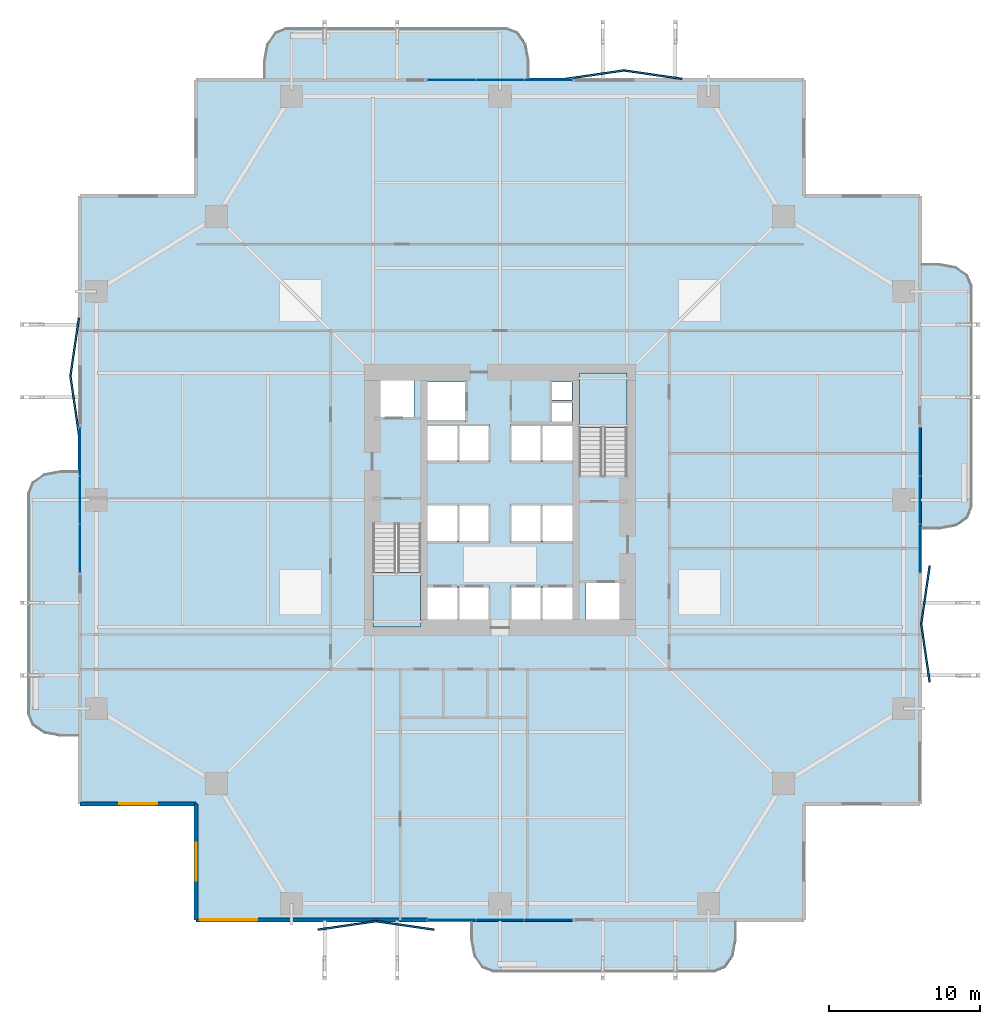
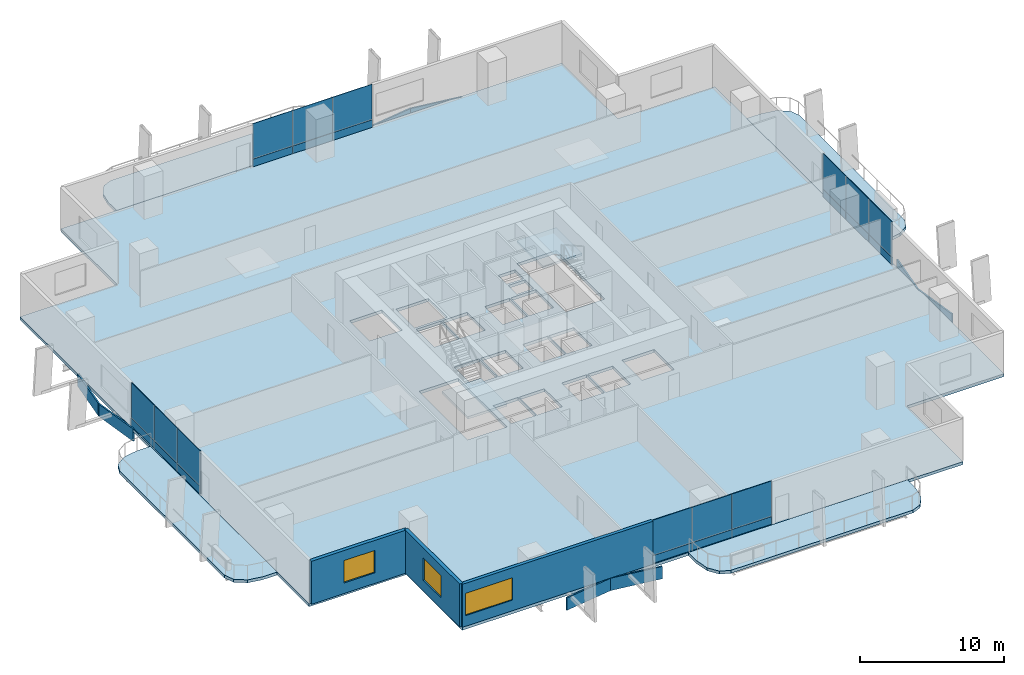
# One storey, part 16 of 24: 32 plates, 7 slabs, 3 walls, 3 windows, 3 openings, 6 elements without a shape of their own.
"""IFC4 building model written with IfcOpenShell, lengths in metres."""

import ifcopenshell
import ifcopenshell.guid

model = None  # the IFC model being written
_history = None  # IfcOwnerHistory: only IFC2X3 demands one
_inside = {}  # id of a spatial element -> (the spatial element, [elements in it])
_under = {}  # id of a project, library or spatial element -> (it, [spatial elements below it])
_declared = {}  # id of a project -> (the project, [libraries it declares])
_typed = {}  # id of a type object -> (the type object, [elements of that type])
_made_of = {}  # id of a material, layer set ... -> (it, [elements and type objects made of it])


def new_model(schema):
    """Start an empty IFC model of exactly this schema.

    Asked for "IFC4X3", IfcOpenShell would pick the latest addendum, in which some entities
    have other attributes; the version numbers below select the first issue.
    IFC2X3 requires an IfcOwnerHistory on every rooted entity: one is made here for all.
    """
    global model, _history
    if schema == "IFC4X3":
        model = ifcopenshell.file(schema_version=(4, 3, 0, 0))
    else:
        model = ifcopenshell.file(schema=schema)
    _inside.clear()
    _under.clear()
    _declared.clear()
    _typed.clear()
    _made_of.clear()
    _history = None
    if model.schema == "IFC2X3":
        org = make("IfcOrganization", Name="unknown")
        user = make(
            "IfcPersonAndOrganization",
            ThePerson=make("IfcPerson", FamilyName="unknown"),
            TheOrganization=org,
        )
        app = make(
            "IfcApplication",
            ApplicationDeveloper=org,
            Version="unknown",
            ApplicationFullName="unknown",
            ApplicationIdentifier="unknown",
        )
        _history = make(
            "IfcOwnerHistory",
            OwningUser=user,
            OwningApplication=app,
            ChangeAction="ADDED",
            CreationDate=0,
        )
    return model


def make(cls, **values):
    """One entity of the class cls with the attributes given. An attribute that is None is left unset."""
    return model.create_entity(
        cls, **{name: value for name, value in values.items() if value is not None}
    )


def rooted(cls, **values):
    """An entity with a GlobalId (a new one), such as an element, a storey or a relation."""
    return make(cls, GlobalId=ifcopenshell.guid.new(), OwnerHistory=_history, **values)


def si_unit(unit_type, name, prefix=None):
    """IfcSIUnit, for example si_unit("LENGTHUNIT", "METRE", prefix="MILLI")."""
    return make("IfcSIUnit", UnitType=unit_type, Prefix=prefix, Name=name)


def assignment(units):
    """IfcUnitAssignment: the units of a project."""
    return None if units is None else make("IfcUnitAssignment", Units=units)


def point(xyz):
    """IfcCartesianPoint."""
    return None if xyz is None else make("IfcCartesianPoint", Coordinates=xyz)


def direction(xyz):
    """IfcDirection."""
    return None if xyz is None else make("IfcDirection", DirectionRatios=xyz)


def frame(location, z_axis=None, x_axis=None):
    """IfcAxis2Placement3D, a coordinate frame: its origin and axes. An axis left out is left unset."""
    return make(
        "IfcAxis2Placement3D",
        Location=point(location),
        Axis=direction(z_axis),
        RefDirection=direction(x_axis),
    )


def frame_2d(location, x_axis=None):
    """IfcAxis2Placement2D, a coordinate frame in the plane: its origin and x axis."""
    return make(
        "IfcAxis2Placement2D", Location=point(location), RefDirection=direction(x_axis)
    )


def origin():
    """The frame at (0, 0, 0) with its axes left unset."""
    return frame((0.0, 0.0, 0.0))


def origin_2d():
    """The frame at (0, 0) in the plane with its x axis left unset."""
    return frame_2d((0.0, 0.0))


def place(relative_to, where):
    """IfcLocalPlacement: puts the frame where relative to a parent placement (None: the world)."""
    return make(
        "IfcLocalPlacement", PlacementRelTo=relative_to, RelativePlacement=where
    )


def context(
    kind, dimensions, precision=None, world=None, true_north=None, identifier=None
):
    """IfcGeometricRepresentationContext, for example the 3D "Model" context."""
    return make(
        "IfcGeometricRepresentationContext",
        ContextIdentifier=identifier,
        ContextType=kind,
        CoordinateSpaceDimension=dimensions,
        Precision=precision,
        WorldCoordinateSystem=world,
        TrueNorth=true_north,
    )


def subcontext(parent, identifier, kind, view, scale=None):
    """IfcGeometricRepresentationSubContext, for example "Body" below "Model"."""
    return make(
        "IfcGeometricRepresentationSubContext",
        ContextIdentifier=identifier,
        ContextType=kind,
        ParentContext=parent,
        TargetScale=scale,
        TargetView=view,
    )


def project(units=None, contexts=None):
    """IfcProject with its units and contexts."""
    return rooted(
        "IfcProject",
        Name="project",
        RepresentationContexts=contexts,
        UnitsInContext=assignment(units),
    )


def spatial(cls, under=None, at=None, **own):
    """A site, building, storey or space (cls), placed at a placement, below another one or the project."""
    s = rooted(cls, ObjectPlacement=at, **own)
    if under is not None:
        _under.setdefault(under.id(), (under, []))[1].append(s)
    return s


def polyline(points):
    """IfcPolyline through the points."""
    return make("IfcPolyline", Points=[point(p) for p in points])


def profile(cls, at=None, kind="AREA", **sizes):
    """A parametric profile (cls). Its sizes go by their IFC names, for example OverallWidth=200.0."""
    return make(cls, ProfileType=kind, Position=at, **sizes)


def rectangle(**sizes):
    """IfcRectangleProfileDef."""
    return profile("IfcRectangleProfileDef", **sizes)


def outline(outer, holes=None, kind="AREA"):
    """IfcArbitraryClosedProfileDef: a profile drawn as a closed curve; with holes, ...WithVoids."""
    if holes is None:
        return make("IfcArbitraryClosedProfileDef", ProfileType=kind, OuterCurve=outer)
    return make(
        "IfcArbitraryProfileDefWithVoids",
        ProfileType=kind,
        OuterCurve=outer,
        InnerCurves=holes,
    )


def extrude(swept, where, along, depth):
    """IfcExtrudedAreaSolid: the profile swept, set in the frame where, extruded along a direction by depth."""
    return make(
        "IfcExtrudedAreaSolid",
        SweptArea=swept,
        Position=where,
        ExtrudedDirection=direction(along),
        Depth=depth,
    )


def shape(context_of_items, identifier, shape_type, items):
    """IfcShapeRepresentation: the items that make up one representation, for example the "Body"."""
    return make(
        "IfcShapeRepresentation",
        ContextOfItems=context_of_items,
        RepresentationIdentifier=identifier,
        RepresentationType=shape_type,
        Items=items,
    )


def material(Name=None, Category=None):
    """IfcMaterial."""
    return make("IfcMaterial", Name=Name, Category=Category)


def layer(
    of_material, thickness, ventilated=None, Name=None, Category=None, Priority=None
):
    """IfcMaterialLayer: one layer of a wall or slab, of a material (None: an air gap)."""
    return make(
        "IfcMaterialLayer",
        Material=of_material,
        LayerThickness=thickness,
        IsVentilated=ventilated,
        Name=Name,
        Category=Category,
        Priority=Priority,
    )


def layer_set(layers, Name=None):
    """IfcMaterialLayerSet."""
    return make("IfcMaterialLayerSet", MaterialLayers=layers, LayerSetName=Name)


def made_of(thing, what):
    """Note that an element or type object is made of a material, layer set ...; save() writes the relation."""
    if what is not None:
        _made_of.setdefault(what.id(), (what, []))[1].append(thing)
    return thing


def type_object(cls, material=None, **own):
    """A type object (cls), such as IfcWallType, which elements share."""
    return made_of(rooted(cls, **own), material)


def element(
    cls,
    number,
    at=None,
    inside=None,
    cuts=None,
    type_object=None,
    material=None,
    context=None,
    identifier="Body",
    shape_type=None,
    held_by="IfcProductDefinitionShape",
    body=None,
    shapes=None,
    **own,
):
    """One element of the class cls, such as IfcWall. Its Tag is "e" and its number.

    at: its placement. inside: the storey or other place that contains it. cuts: it is an
    opening in that element (IfcRelVoidsElement). A single representation is given by context,
    identifier, shape_type and body (its items); several are given by shapes. held_by: the class
    of the entity that holds the representations. save() writes the other relations.
    """
    e = rooted(cls, Tag="e%d" % number, ObjectPlacement=at, **own)
    if body is not None:
        shapes = [shape(context, identifier, shape_type, body)]
    if shapes is not None:
        e.Representation = make(held_by, Representations=shapes)
    if inside is not None:
        _inside.setdefault(inside.id(), (inside, []))[1].append(e)
    if cuts is not None:
        rooted(
            "IfcRelVoidsElement", RelatingBuildingElement=cuts, RelatedOpeningElement=e
        )
    if type_object is not None:
        _typed.setdefault(type_object.id(), (type_object, []))[1].append(e)
    return made_of(e, material)


def fill(opening, filler):
    """IfcRelFillsElement: the door or window that sits in an opening."""
    return rooted(
        "IfcRelFillsElement",
        RelatingOpeningElement=opening,
        RelatedBuildingElement=filler,
    )


def aggregate(whole, parts):
    """IfcRelAggregates: a whole, such as a stair, and the parts it consists of."""
    return rooted("IfcRelAggregates", RelatingObject=whole, RelatedObjects=parts)


def save(model, path):
    """Write the relations noted so far, then the file.

    IfcRelAggregates (storeys below a building ...), IfcRelContainedInSpatialStructure (elements
    in a storey), IfcRelDefinesByType, IfcRelAssociatesMaterial and IfcRelDeclares: one each for
    every whole, place, type object, material and project.
    """
    for whole, parts in _under.values():
        aggregate(whole, parts)
    for where, things in _inside.values():
        rooted(
            "IfcRelContainedInSpatialStructure",
            RelatedElements=things,
            RelatingStructure=where,
        )
    for kind, things in _typed.values():
        rooted("IfcRelDefinesByType", RelatedObjects=things, RelatingType=kind)
    for what, things in _made_of.values():
        rooted("IfcRelAssociatesMaterial", RelatedObjects=things, RelatingMaterial=what)
    for by, libraries in _declared.values():
        rooted("IfcRelDeclares", RelatingContext=by, RelatedDefinitions=libraries)
    model.write(path)


model = new_model("IFC4")

# Units and contexts
model_context = context("Model", 3, precision=1e-05, world=origin(), true_north=direction((0.0, 1.0)))
body_context = subcontext(model_context, "Body", "Model", "MODEL_VIEW")
ifc_project = project(units=[si_unit("LENGTHUNIT", "METRE"), si_unit("AREAUNIT", "SQUARE_METRE"), si_unit("VOLUMEUNIT", "CUBIC_METRE"), si_unit("PLANEANGLEUNIT", "RADIAN"), si_unit("MASSUNIT", "GRAM", prefix="KILO")], contexts=[model_context])

# Site, building, storey
site_placement = place(None, origin())
site = spatial("IfcSite", under=ifc_project, at=site_placement, CompositionType="ELEMENT")
building_placement = place(site_placement, origin())
building = spatial("IfcBuilding", under=site, at=building_placement, Name="Belovzor Exchange Tower", CompositionType="ELEMENT")
storey_placement = place(building_placement, frame((0.0, 0.0, 37.800048828125)))
storey = spatial("IfcBuildingStorey", under=building, at=storey_placement, Name="L08", CompositionType="ELEMENT", Elevation=37.800048828125)

# Slab
ifc_material_1 = material(Name="Concrete C40/50", Category="concrete")
ifc_layer_1 = layer(ifc_material_1, 0.25)
ifc_layer_set_1 = layer_set([ifc_layer_1], Name="Concrete C40/50")
slab_type_1 = type_object("IfcSlabType", Name="Composite Concrete Floor Deck Slab 250", PredefinedType="FLOOR", material=ifc_layer_set_1)
slab_1_placement = place(storey_placement, frame((0.0, 0.0, -0.25)))
element("IfcSlab", 1, at=slab_1_placement, inside=storey, type_object=slab_type_1, Name="SL-F250 Structural Slab L08", PredefinedType="FLOOR", context=body_context, shape_type="SweptSolid", body=[
    extrude(outline(polyline([(8.699951171875, 0.89990234375), (48.89990234375, 0.89990234375), (48.89990234375, 8.699951171875), (56.699951171875, 8.699951171875), (56.699951171875, 48.89990234375), (48.89990234375, 48.89990234375), (48.89990234375, 56.699951171875), (8.699951171875, 56.699951171875), (8.699951171875, 48.89990234375), (0.89990234375, 48.89990234375), (0.89990234375, 8.699951171875), (8.699951171875, 8.699951171875), (8.699951171875, 0.89990234375)]), holes=[polyline([(20.39990234375, 27.175048828125), (20.39990234375, 20.39990234375), (23.550048828125, 20.39990234375), (23.550048828125, 27.175048828125), (20.39990234375, 27.175048828125)]), polyline([(37.199951171875, 30.425048828125), (37.199951171875, 37.199951171875), (34.050048828125, 37.199951171875), (34.050048828125, 30.425048828125), (37.199951171875, 30.425048828125)]), polyline([(20.5, 34.199951171875), (23.10009765625, 34.199951171875), (23.10009765625, 37.0), (20.5, 37.0), (20.5, 34.199951171875)]), polyline([(34.5, 20.60009765625), (37.10009765625, 20.60009765625), (37.10009765625, 23.39990234375), (34.5, 23.39990234375), (34.5, 20.60009765625)]), polyline([(24.0, 34.0), (26.60009765625, 34.0), (26.60009765625, 36.60009765625), (24.0, 36.60009765625), (24.0, 34.0)]), polyline([(24.0, 20.60009765625), (26.0, 20.60009765625), (26.0, 23.10009765625), (24.0, 23.10009765625), (24.0, 20.60009765625)]), polyline([(26.10009765625, 20.60009765625), (28.10009765625, 20.60009765625), (28.10009765625, 23.10009765625), (26.10009765625, 23.10009765625), (26.10009765625, 20.60009765625)]), polyline([(29.5, 20.60009765625), (31.5, 20.60009765625), (31.5, 23.10009765625), (29.5, 23.10009765625), (29.5, 20.60009765625)]), polyline([(31.60009765625, 20.60009765625), (33.60009765625, 20.60009765625), (33.60009765625, 23.10009765625), (31.60009765625, 23.10009765625), (31.60009765625, 20.60009765625)]), polyline([(24.0, 26.0), (26.0, 26.0), (26.0, 28.5), (24.0, 28.5), (24.0, 26.0)]), polyline([(26.10009765625, 26.0), (28.10009765625, 26.0), (28.10009765625, 28.5), (26.10009765625, 28.5), (26.10009765625, 26.0)]), polyline([(29.5, 26.0), (31.5, 26.0), (31.5, 28.5), (29.5, 28.5), (29.5, 26.0)]), polyline([(31.60009765625, 26.0), (33.60009765625, 26.0), (33.60009765625, 28.5), (31.60009765625, 28.5), (31.60009765625, 26.0)]), polyline([(24.0, 31.300048828125), (26.0, 31.300048828125), (26.0, 33.800048828125), (24.0, 33.800048828125), (24.0, 31.300048828125)]), polyline([(26.10009765625, 31.300048828125), (28.10009765625, 31.300048828125), (28.10009765625, 33.800048828125), (26.10009765625, 33.800048828125), (26.10009765625, 31.300048828125)]), polyline([(29.5, 31.300048828125), (31.5, 31.300048828125), (31.5, 33.800048828125), (29.5, 33.800048828125), (29.5, 31.300048828125)]), polyline([(31.60009765625, 31.300048828125), (33.60009765625, 31.300048828125), (33.60009765625, 33.800048828125), (31.60009765625, 33.800048828125), (31.60009765625, 31.300048828125)]), polyline([(32.199951171875, 34.0), (33.550048828125, 34.0), (33.550048828125, 35.199951171875), (32.199951171875, 35.199951171875), (32.199951171875, 34.0)]), polyline([(32.199951171875, 35.39990234375), (33.550048828125, 35.39990234375), (33.550048828125, 36.60009765625), (32.199951171875, 36.60009765625), (32.199951171875, 35.39990234375)])]), origin(), (0.0, 0.0, 1.0), 0.25),
])

# Plates
ifc_material_2 = material(Name="Extruded Architectural Terracotta", Category="masonry")
ifc_layer_2 = layer(ifc_material_2, 0.1201171875)
ifc_layer_set_2 = layer_set([ifc_layer_2], Name="Extruded Architectural Terracotta")
plate_type_1 = type_object("IfcPlateType", Name="Folded Zigzag Terracotta Spandrel Louvre 80", PredefinedType="USERDEFINED", material=ifc_layer_set_2)
for number, where, z_axis, x_axis, name in (
    (2, (18.699951171875, 0.6650390625, -1.03515625), (0.0, 0.0, 1.0), (0.989686419138, 0.143250800258, 0.0), "LVR-ZZ1 Zigzag Terracotta Spandrel Louvre L08 S1A"),
    (3, (22.5, 0.6650390625, -1.03515625), (0.0, 0.0, 1.0), (0.989686419138, -0.143250800258, 0.0), "LVR-ZZ1 Zigzag Terracotta Spandrel Louvre L08 S1B"),
    (4, (56.93505859375, 18.699951171875, -1.03515625), (0.0, 0.0, 1.0), (-0.143250800258, 0.989686419138, 0.0), "LVR-ZZ1 Zigzag Terracotta Spandrel Louvre L08 E1A"),
    (5, (56.93505859375, 22.5, -1.03515625), (0.0, 0.0, 1.0), (0.143250800258, 0.989686419138, 0.0), "LVR-ZZ1 Zigzag Terracotta Spandrel Louvre L08 E1B"),
    (6, (35.10009765625, 56.93505859375, -1.03515625), (0.0, 0.0, 1.0), (0.989686419138, 0.143250800258, 0.0), "LVR-ZZ1 Zigzag Terracotta Spandrel Louvre L08 N2A"),
    (7, (38.89990234375, 56.93505859375, -1.03515625), (0.0, 0.0, 1.0), (0.989686419138, -0.143250800258, 0.0), "LVR-ZZ1 Zigzag Terracotta Spandrel Louvre L08 N2B"),
    (8, (0.6650390625, 35.10009765625, -1.03515625), (0.0, 0.0, 1.0), (-0.143250800258, 0.989686419138, 0.0), "LVR-ZZ1 Zigzag Terracotta Spandrel Louvre L08 W2A"),
    (9, (0.6650390625, 38.89990234375, -1.03515625), (0.0, 0.0, 1.0), (0.143250800258, 0.989686419138, 0.0), "LVR-ZZ1 Zigzag Terracotta Spandrel Louvre L08 W2B"),
):
    element("IfcPlate", number, at=place(storey_placement, frame(where, z_axis=z_axis, x_axis=x_axis)), inside=storey, type_object=plate_type_1, Name=name, ObjectType="SPANDREL_LOUVRE", PredefinedType="USERDEFINED", context=body_context, shape_type="SweptSolid", body=[
        extrude(rectangle(XDim=3.919921875, YDim=0.1201171875, at=origin_2d()), origin(), (0.0, 0.0, 1.0), 1.050048828125),
    ])

# Curtain wall, plates
ifc_material_3 = material(Name="Anodised Aluminium Framing", Category="aluminium")
ifc_layer_3 = layer(ifc_material_3, 0.179931640625)
ifc_layer_set_3 = layer_set([ifc_layer_3], Name="Anodised Aluminium Framing")
curtain_wall_type = type_object("IfcCurtainWallType", Name="Recessed Loggia Low-Iron Triple-Glazed Curtain Wall", PredefinedType="NOTDEFINED", material=ifc_layer_set_3)
curtain_wall_1_placement = place(storey_placement, origin())
curtain_wall_1 = element("IfcCurtainWall", 10, at=curtain_wall_1_placement, inside=storey, type_object=curtain_wall_type, Name="CW3 Recessed Loggia Low-Iron Triple-Glazed Curtain Wall L08", PredefinedType="NOTDEFINED")
ifc_material_4 = material(Name="Solar-Control Triple Glazing", Category="glass")
ifc_layer_4 = layer(ifc_material_4, 0.0439453125)
ifc_layer_set_4 = layer_set([ifc_layer_4], Name="Solar-Control Triple Glazing")
plate_type_2 = type_object("IfcPlateType", Name="Insulated Solar Glazing Curtain Panel 44", PredefinedType="CURTAIN_PANEL", material=ifc_layer_set_4)
plate_1_placement = place(storey_placement, frame((32.0, 1.030029296875, 0.65185546875), z_axis=(0.0, 0.0, 1.0), x_axis=(-1.0, 0.0, 0.0)))
plate_1 = element("IfcPlate", 11, at=plate_1_placement, type_object=plate_type_2, Name="GLZ-44 Glazed Curtain Panel 1", PredefinedType="CURTAIN_PANEL", context=body_context, shape_type="SweptSolid", body=[
    extrude(rectangle(XDim=3.18408203125, YDim=0.0439453125, at=origin_2d()), origin(), (0.0, 0.0, 1.0), 2.998046875),
])
plate_2_placement = place(storey_placement, frame((28.800048828125, 1.030029296875, 0.65185546875), z_axis=(0.0, 0.0, 1.0), x_axis=(-1.0, 0.0, 0.0)))
plate_2 = element("IfcPlate", 12, at=plate_2_placement, type_object=plate_type_2, Name="GLZ-44 Glazed Curtain Panel 2", PredefinedType="CURTAIN_PANEL", context=body_context, shape_type="SweptSolid", body=[
    extrude(rectangle(XDim=3.18408203125, YDim=0.0439453125, at=origin_2d()), origin(), (0.0, 0.0, 1.0), 2.998046875),
])
plate_3_placement = place(storey_placement, frame((25.60009765625, 1.030029296875, 0.65185546875), z_axis=(0.0, 0.0, 1.0), x_axis=(-1.0, 0.0, 0.0)))
plate_3 = element("IfcPlate", 13, at=plate_3_placement, type_object=plate_type_2, Name="GLZ-44 Glazed Curtain Panel 3", PredefinedType="CURTAIN_PANEL", context=body_context, shape_type="SweptSolid", body=[
    extrude(rectangle(XDim=3.18408203125, YDim=0.0439453125, at=origin_2d()), origin(), (0.0, 0.0, 1.0), 2.998046875),
])

curtain_wall_2_placement = place(storey_placement, origin())
curtain_wall_2 = element("IfcCurtainWall", 14, at=curtain_wall_2_placement, inside=storey, type_object=curtain_wall_type, Name="CW3 Recessed Loggia Low-Iron Triple-Glazed Curtain Wall L08", PredefinedType="NOTDEFINED")
plate_4_placement = place(storey_placement, frame((25.60009765625, 56.570068359375, 0.65185546875), z_axis=(0.0, 0.0, 1.0), x_axis=(1.0, 0.0, 0.0)))
plate_4 = element("IfcPlate", 15, at=plate_4_placement, type_object=plate_type_2, Name="GLZ-44 Glazed Curtain Panel 1", PredefinedType="CURTAIN_PANEL", context=body_context, shape_type="SweptSolid", body=[
    extrude(rectangle(XDim=3.18408203125, YDim=0.0439453125, at=origin_2d()), origin(), (0.0, 0.0, 1.0), 2.998046875),
])
plate_5_placement = place(storey_placement, frame((28.800048828125, 56.570068359375, 0.65185546875), z_axis=(0.0, 0.0, 1.0), x_axis=(1.0, 0.0, 0.0)))
plate_5 = element("IfcPlate", 16, at=plate_5_placement, type_object=plate_type_2, Name="GLZ-44 Glazed Curtain Panel 2", PredefinedType="CURTAIN_PANEL", context=body_context, shape_type="SweptSolid", body=[
    extrude(rectangle(XDim=3.18408203125, YDim=0.0439453125, at=origin_2d()), origin(), (0.0, 0.0, 1.0), 2.998046875),
])
plate_6_placement = place(storey_placement, frame((32.0, 56.570068359375, 0.65185546875), z_axis=(0.0, 0.0, 1.0), x_axis=(1.0, 0.0, 0.0)))
plate_6 = element("IfcPlate", 17, at=plate_6_placement, type_object=plate_type_2, Name="GLZ-44 Glazed Curtain Panel 3", PredefinedType="CURTAIN_PANEL", context=body_context, shape_type="SweptSolid", body=[
    extrude(rectangle(XDim=3.18408203125, YDim=0.0439453125, at=origin_2d()), origin(), (0.0, 0.0, 1.0), 2.998046875),
])

curtain_wall_3_placement = place(storey_placement, origin())
curtain_wall_3 = element("IfcCurtainWall", 18, at=curtain_wall_3_placement, inside=storey, type_object=curtain_wall_type, Name="CW3 Recessed Loggia Low-Iron Triple-Glazed Curtain Wall L08", PredefinedType="NOTDEFINED")
plate_7_placement = place(storey_placement, frame((1.030029296875, 25.60009765625, 0.65185546875), z_axis=(0.0, 0.0, 1.0), x_axis=(0.0, 1.0, 0.0)))
plate_7 = element("IfcPlate", 19, at=plate_7_placement, type_object=plate_type_2, Name="GLZ-44 Glazed Curtain Panel 1", PredefinedType="CURTAIN_PANEL", context=body_context, shape_type="SweptSolid", body=[
    extrude(rectangle(XDim=3.18408203125, YDim=0.0439453125, at=origin_2d()), origin(), (0.0, 0.0, 1.0), 2.998046875),
])
plate_8_placement = place(storey_placement, frame((1.030029296875, 28.800048828125, 0.65185546875), z_axis=(0.0, 0.0, 1.0), x_axis=(0.0, 1.0, 0.0)))
plate_8 = element("IfcPlate", 20, at=plate_8_placement, type_object=plate_type_2, Name="GLZ-44 Glazed Curtain Panel 2", PredefinedType="CURTAIN_PANEL", context=body_context, shape_type="SweptSolid", body=[
    extrude(rectangle(XDim=3.18408203125, YDim=0.0439453125, at=origin_2d()), origin(), (0.0, 0.0, 1.0), 2.998046875),
])
plate_9_placement = place(storey_placement, frame((1.030029296875, 32.0, 0.65185546875), z_axis=(0.0, 0.0, 1.0), x_axis=(0.0, 1.0, 0.0)))
plate_9 = element("IfcPlate", 21, at=plate_9_placement, type_object=plate_type_2, Name="GLZ-44 Glazed Curtain Panel 3", PredefinedType="CURTAIN_PANEL", context=body_context, shape_type="SweptSolid", body=[
    extrude(rectangle(XDim=3.18408203125, YDim=0.0439453125, at=origin_2d()), origin(), (0.0, 0.0, 1.0), 2.998046875),
])

curtain_wall_4_placement = place(storey_placement, origin())
curtain_wall_4 = element("IfcCurtainWall", 22, at=curtain_wall_4_placement, inside=storey, type_object=curtain_wall_type, Name="CW3 Recessed Loggia Low-Iron Triple-Glazed Curtain Wall L08", PredefinedType="NOTDEFINED")
plate_10_placement = place(storey_placement, frame((56.570068359375, 32.0, 0.65185546875), z_axis=(0.0, 0.0, 1.0), x_axis=(0.0, -1.0, 0.0)))
plate_10 = element("IfcPlate", 23, at=plate_10_placement, type_object=plate_type_2, Name="GLZ-44 Glazed Curtain Panel 1", PredefinedType="CURTAIN_PANEL", context=body_context, shape_type="SweptSolid", body=[
    extrude(rectangle(XDim=3.18408203125, YDim=0.0439453125, at=origin_2d()), origin(), (0.0, 0.0, 1.0), 2.998046875),
])
plate_11_placement = place(storey_placement, frame((56.570068359375, 28.800048828125, 0.65185546875), z_axis=(0.0, 0.0, 1.0), x_axis=(0.0, -1.0, 0.0)))
plate_11 = element("IfcPlate", 24, at=plate_11_placement, type_object=plate_type_2, Name="GLZ-44 Glazed Curtain Panel 2", PredefinedType="CURTAIN_PANEL", context=body_context, shape_type="SweptSolid", body=[
    extrude(rectangle(XDim=3.18408203125, YDim=0.0439453125, at=origin_2d()), origin(), (0.0, 0.0, 1.0), 2.998046875),
])
plate_12_placement = place(storey_placement, frame((56.570068359375, 25.60009765625, 0.65185546875), z_axis=(0.0, 0.0, 1.0), x_axis=(0.0, -1.0, 0.0)))
plate_12 = element("IfcPlate", 25, at=plate_12_placement, type_object=plate_type_2, Name="GLZ-44 Glazed Curtain Panel 3", PredefinedType="CURTAIN_PANEL", context=body_context, shape_type="SweptSolid", body=[
    extrude(rectangle(XDim=3.18408203125, YDim=0.0439453125, at=origin_2d()), origin(), (0.0, 0.0, 1.0), 2.998046875),
])

# Stair, slab
ifc_material_5 = material(Name="Concrete C40/50", Category="concrete")
stair_type = type_object("IfcStairType", Name="Reinforced Concrete Dogleg Escape Stair 1350", PredefinedType="HALF_TURN_STAIR", material=ifc_material_5)
stair_1_placement = place(storey_placement, origin())
stair_1 = element("IfcStair", 26, at=stair_1_placement, inside=storey, type_object=stair_type, Name="L08 ST-1", PredefinedType="HALF_TURN_STAIR")
ifc_material_6 = material(Name="Concrete C40/50", Category="concrete")
ifc_layer_5 = layer(ifc_material_6, 0.199951171875)
ifc_layer_set_5 = layer_set([ifc_layer_5], Name="Concrete C40/50")
slab_type_2 = type_object("IfcSlabType", Name="Reinforced Concrete Stair Half-Landing Slab 200", PredefinedType="LANDING", material=ifc_layer_set_5)
slab_2_placement = place(storey_placement, frame((0.0, 0.0, 1.75)))
slab_2 = element("IfcSlab", 27, at=slab_2_placement, type_object=slab_type_2, Name="ST-1 landing 1", PredefinedType="LANDING", context=body_context, shape_type="SweptSolid", body=[
    extrude(outline(polyline([(20.39990234375, 24.010009765625), (20.39990234375, 20.39990234375), (23.550048828125, 20.39990234375), (23.550048828125, 24.010009765625), (20.39990234375, 24.010009765625)])), origin(), (0.0, 0.0, 1.0), 0.199951171875),
])
aggregate(stair_1, [slab_2])

stair_2_placement = place(storey_placement, origin())
stair_2 = element("IfcStair", 28, at=stair_2_placement, inside=storey, type_object=stair_type, Name="L08 ST-2", PredefinedType="HALF_TURN_STAIR")
slab_3_placement = place(storey_placement, frame((0.0, 0.0, 1.75)))
slab_3 = element("IfcSlab", 29, at=slab_3_placement, type_object=slab_type_2, Name="ST-2 landing 1", PredefinedType="LANDING", context=body_context, shape_type="SweptSolid", body=[
    extrude(outline(polyline([(37.199951171875, 33.590087890625), (37.199951171875, 37.199951171875), (34.050048828125, 37.199951171875), (34.050048828125, 33.590087890625), (37.199951171875, 33.590087890625)])), origin(), (0.0, 0.0, 1.0), 0.199951171875),
])
aggregate(stair_2, [slab_3])

# Plate
ifc_material_7 = material(Name="Extruded Architectural Terracotta", Category="masonry")
ifc_layer_6 = layer(ifc_material_7, 0.090087890625)
ifc_layer_set_6 = layer_set([ifc_layer_6], Name="Extruded Architectural Terracotta")
plate_type_3 = type_object("IfcPlateType", Name="Terracotta Shadow-Box Spandrel Panel 90", PredefinedType="CURTAIN_PANEL", material=ifc_layer_set_6)
plate_13_placement = place(storey_placement, frame((32.0, 1.030029296875, 0.0), z_axis=(0.0, 0.0, 1.0), x_axis=(-1.0, 0.0, 0.0)))
plate_13 = element("IfcPlate", 30, at=plate_13_placement, type_object=plate_type_3, Name="SPD-90 Spandrel Panel 1", PredefinedType="CURTAIN_PANEL", context=body_context, shape_type="SweptSolid", body=[
    extrude(rectangle(XDim=3.18408203125, YDim=0.090087890625, at=origin_2d()), origin(), (0.0, 0.0, 1.0), 0.64794921875),
])

plate_14_placement = place(storey_placement, frame((28.800048828125, 1.030029296875, 0.0), z_axis=(0.0, 0.0, 1.0), x_axis=(-1.0, 0.0, 0.0)))
plate_14 = element("IfcPlate", 31, at=plate_14_placement, type_object=plate_type_3, Name="SPD-90 Spandrel Panel 2", PredefinedType="CURTAIN_PANEL", context=body_context, shape_type="SweptSolid", body=[
    extrude(rectangle(XDim=3.18408203125, YDim=0.090087890625, at=origin_2d()), origin(), (0.0, 0.0, 1.0), 0.64794921875),
])

plate_15_placement = place(storey_placement, frame((25.60009765625, 1.030029296875, 0.0), z_axis=(0.0, 0.0, 1.0), x_axis=(-1.0, 0.0, 0.0)))
plate_15 = element("IfcPlate", 32, at=plate_15_placement, type_object=plate_type_3, Name="SPD-90 Spandrel Panel 3", PredefinedType="CURTAIN_PANEL", context=body_context, shape_type="SweptSolid", body=[
    extrude(rectangle(XDim=3.18408203125, YDim=0.090087890625, at=origin_2d()), origin(), (0.0, 0.0, 1.0), 0.64794921875),
])

aggregate(curtain_wall_1, [plate_13, plate_1, plate_14, plate_2, plate_15, plate_3])

plate_16_placement = place(storey_placement, frame((25.60009765625, 56.570068359375, 0.0), z_axis=(0.0, 0.0, 1.0), x_axis=(1.0, 0.0, 0.0)))
plate_16 = element("IfcPlate", 33, at=plate_16_placement, type_object=plate_type_3, Name="SPD-90 Spandrel Panel 1", PredefinedType="CURTAIN_PANEL", context=body_context, shape_type="SweptSolid", body=[
    extrude(rectangle(XDim=3.18408203125, YDim=0.090087890625, at=origin_2d()), origin(), (0.0, 0.0, 1.0), 0.64794921875),
])

plate_17_placement = place(storey_placement, frame((28.800048828125, 56.570068359375, 0.0), z_axis=(0.0, 0.0, 1.0), x_axis=(1.0, 0.0, 0.0)))
plate_17 = element("IfcPlate", 34, at=plate_17_placement, type_object=plate_type_3, Name="SPD-90 Spandrel Panel 2", PredefinedType="CURTAIN_PANEL", context=body_context, shape_type="SweptSolid", body=[
    extrude(rectangle(XDim=3.18408203125, YDim=0.090087890625, at=origin_2d()), origin(), (0.0, 0.0, 1.0), 0.64794921875),
])

plate_18_placement = place(storey_placement, frame((32.0, 56.570068359375, 0.0), z_axis=(0.0, 0.0, 1.0), x_axis=(1.0, 0.0, 0.0)))
plate_18 = element("IfcPlate", 35, at=plate_18_placement, type_object=plate_type_3, Name="SPD-90 Spandrel Panel 3", PredefinedType="CURTAIN_PANEL", context=body_context, shape_type="SweptSolid", body=[
    extrude(rectangle(XDim=3.18408203125, YDim=0.090087890625, at=origin_2d()), origin(), (0.0, 0.0, 1.0), 0.64794921875),
])

aggregate(curtain_wall_2, [plate_16, plate_4, plate_17, plate_5, plate_18, plate_6])

plate_19_placement = place(storey_placement, frame((1.030029296875, 25.60009765625, 0.0), z_axis=(0.0, 0.0, 1.0), x_axis=(0.0, 1.0, 0.0)))
plate_19 = element("IfcPlate", 36, at=plate_19_placement, type_object=plate_type_3, Name="SPD-90 Spandrel Panel 1", PredefinedType="CURTAIN_PANEL", context=body_context, shape_type="SweptSolid", body=[
    extrude(rectangle(XDim=3.18408203125, YDim=0.090087890625, at=origin_2d()), origin(), (0.0, 0.0, 1.0), 0.64794921875),
])

plate_20_placement = place(storey_placement, frame((1.030029296875, 28.800048828125, 0.0), z_axis=(0.0, 0.0, 1.0), x_axis=(0.0, 1.0, 0.0)))
plate_20 = element("IfcPlate", 37, at=plate_20_placement, type_object=plate_type_3, Name="SPD-90 Spandrel Panel 2", PredefinedType="CURTAIN_PANEL", context=body_context, shape_type="SweptSolid", body=[
    extrude(rectangle(XDim=3.18408203125, YDim=0.090087890625, at=origin_2d()), origin(), (0.0, 0.0, 1.0), 0.64794921875),
])

plate_21_placement = place(storey_placement, frame((1.030029296875, 32.0, 0.0), z_axis=(0.0, 0.0, 1.0), x_axis=(0.0, 1.0, 0.0)))
plate_21 = element("IfcPlate", 38, at=plate_21_placement, type_object=plate_type_3, Name="SPD-90 Spandrel Panel 3", PredefinedType="CURTAIN_PANEL", context=body_context, shape_type="SweptSolid", body=[
    extrude(rectangle(XDim=3.18408203125, YDim=0.090087890625, at=origin_2d()), origin(), (0.0, 0.0, 1.0), 0.64794921875),
])

aggregate(curtain_wall_3, [plate_19, plate_7, plate_20, plate_8, plate_21, plate_9])

plate_22_placement = place(storey_placement, frame((56.570068359375, 32.0, 0.0), z_axis=(0.0, 0.0, 1.0), x_axis=(0.0, -1.0, 0.0)))
plate_22 = element("IfcPlate", 39, at=plate_22_placement, type_object=plate_type_3, Name="SPD-90 Spandrel Panel 1", PredefinedType="CURTAIN_PANEL", context=body_context, shape_type="SweptSolid", body=[
    extrude(rectangle(XDim=3.18408203125, YDim=0.090087890625, at=origin_2d()), origin(), (0.0, 0.0, 1.0), 0.64794921875),
])

plate_23_placement = place(storey_placement, frame((56.570068359375, 28.800048828125, 0.0), z_axis=(0.0, 0.0, 1.0), x_axis=(0.0, -1.0, 0.0)))
plate_23 = element("IfcPlate", 40, at=plate_23_placement, type_object=plate_type_3, Name="SPD-90 Spandrel Panel 2", PredefinedType="CURTAIN_PANEL", context=body_context, shape_type="SweptSolid", body=[
    extrude(rectangle(XDim=3.18408203125, YDim=0.090087890625, at=origin_2d()), origin(), (0.0, 0.0, 1.0), 0.64794921875),
])

plate_24_placement = place(storey_placement, frame((56.570068359375, 25.60009765625, 0.0), z_axis=(0.0, 0.0, 1.0), x_axis=(0.0, -1.0, 0.0)))
plate_24 = element("IfcPlate", 41, at=plate_24_placement, type_object=plate_type_3, Name="SPD-90 Spandrel Panel 3", PredefinedType="CURTAIN_PANEL", context=body_context, shape_type="SweptSolid", body=[
    extrude(rectangle(XDim=3.18408203125, YDim=0.090087890625, at=origin_2d()), origin(), (0.0, 0.0, 1.0), 0.64794921875),
])

aggregate(curtain_wall_4, [plate_22, plate_10, plate_23, plate_11, plate_24, plate_12])

# Slabs
ifc_material_8 = material(Name="Concrete C40/50", Category="concrete")
ifc_layer_7 = layer(ifc_material_8, 0.25)
ifc_layer_set_7 = layer_set([ifc_layer_7], Name="Concrete C40/50")
slab_type_3 = type_object("IfcSlabType", Name="Thermally Broken Planted Balcony Slab 250", PredefinedType="FLOOR", material=ifc_layer_set_7)
slab_4_placement = place(storey_placement, frame((0.0, 0.0, -0.25)))
element("IfcSlab", 42, at=slab_4_placement, inside=storey, type_object=slab_type_3, Name="SL-BAL220 Planted Balcony Loggia L08 South", PredefinedType="FLOOR", context=body_context, shape_type="SweptSolid", body=[
    extrude(outline(polyline([(26.85009765625, 0.9150390625), (26.85009765625, -0.25), (27.051025390625, -1.35009765625), (27.60009765625, -2.155029296875), (28.35009765625, -2.449951171875), (42.949951171875, -2.449951171875), (43.699951171875, -2.155029296875), (44.2490234375, -1.35009765625), (44.449951171875, -0.25), (44.449951171875, 0.9150390625), (26.85009765625, 0.9150390625)])), origin(), (0.0, 0.0, 1.0), 0.25),
])
slab_5_placement = place(storey_placement, frame((0.0, 0.0, -0.25)))
element("IfcSlab", 43, at=slab_5_placement, inside=storey, type_object=slab_type_3, Name="SL-BAL220 Planted Balcony Loggia L08 North", PredefinedType="FLOOR", context=body_context, shape_type="SweptSolid", body=[
    extrude(outline(polyline([(30.75, 56.68505859375), (30.75, 57.85009765625), (30.549072265625, 58.949951171875), (30.0, 59.7548828125), (29.25, 60.050048828125), (14.64990234375, 60.050048828125), (13.89990234375, 59.7548828125), (13.35107421875, 58.949951171875), (13.14990234375, 57.85009765625), (13.14990234375, 56.68505859375), (30.75, 56.68505859375)])), origin(), (0.0, 0.0, 1.0), 0.25),
])
slab_6_placement = place(storey_placement, frame((0.0, 0.0, -0.25)))
element("IfcSlab", 44, at=slab_6_placement, inside=storey, type_object=slab_type_3, Name="SL-BAL220 Planted Balcony Loggia L08 East", PredefinedType="FLOOR", context=body_context, shape_type="SweptSolid", body=[
    extrude(outline(polyline([(56.68505859375, 26.85009765625), (57.85009765625, 26.85009765625), (58.949951171875, 27.051025390625), (59.7548828125, 27.60009765625), (60.050048828125, 28.35009765625), (60.050048828125, 42.949951171875), (59.7548828125, 43.699951171875), (58.949951171875, 44.2490234375), (57.85009765625, 44.449951171875), (56.68505859375, 44.449951171875), (56.68505859375, 26.85009765625)])), origin(), (0.0, 0.0, 1.0), 0.25),
])
slab_7_placement = place(storey_placement, frame((0.0, 0.0, -0.25)))
element("IfcSlab", 45, at=slab_7_placement, inside=storey, type_object=slab_type_3, Name="SL-BAL220 Planted Balcony Loggia L08 West", PredefinedType="FLOOR", context=body_context, shape_type="SweptSolid", body=[
    extrude(outline(polyline([(0.9150390625, 30.75), (-0.25, 30.75), (-1.35009765625, 30.549072265625), (-2.155029296875, 30.0), (-2.449951171875, 29.25), (-2.449951171875, 14.64990234375), (-2.155029296875, 13.89990234375), (-1.35009765625, 13.35107421875), (-0.25, 13.14990234375), (0.9150390625, 13.14990234375), (0.9150390625, 30.75)])), origin(), (0.0, 0.0, 1.0), 0.25),
])

# Wall, opening, window
ifc_material_9 = material(Name="Precast concrete C40/50", Category="concrete")
ifc_layer_8 = layer(ifc_material_9, 0.280029296875)
ifc_layer_set_8 = layer_set([ifc_layer_8], Name="Precast concrete C40/50")
wall_type_1 = type_object("IfcWallType", Name="Precast Concrete Notched Corner Frame Wall 280", PredefinedType="SOLIDWALL", material=ifc_layer_set_8)
wall_1_placement = place(storey_placement, frame((8.699951171875, 1.030029296875, 0.0), z_axis=(0.0, 0.0, 1.0), x_axis=(0.0, 1.0, 0.0)))
wall_1 = element("IfcWall", 46, at=wall_1_placement, inside=storey, type_object=wall_type_1, Name="W-CRN280 Precast Concrete Notched Corner Frame Wall 280 L08", PredefinedType="SOLIDWALL", context=body_context, shape_type="SweptSolid", body=[
    extrude(rectangle(XDim=7.669921875, YDim=0.280029296875, at=frame_2d((3.8349609375, 0.0))), origin(), (0.0, 0.0, 1.0), 3.64990234375),
])
opening_1_placement = place(wall_1_placement, frame((2.5849609375, 0.0, 0.89990234375)))
opening_1 = element("IfcOpeningElement", 47, at=opening_1_placement, cuts=wall_1, Name="Opening WN-CRN250", PredefinedType="OPENING", context=body_context, shape_type="SweptSolid", body=[
    extrude(rectangle(XDim=2.5, YDim=1.89990234375, at=frame_2d((1.25, 0.949951171875))), frame((0.0, 0.14990234375, 0.0), z_axis=(0.0, -1.0, 0.0), x_axis=(1.0, 0.0, 0.0)), (0.0, 0.0, 1.0), 0.300048828125),
])
ifc_material_10 = material(Name="Thermally Broken Aluminium and Triple Glazing", Category="aluminium")
window_type_1 = type_object("IfcWindowType", Name="Streamline Moderne Corner Wrap Ribbon Window 2500x1900", PartitioningType="SINGLE_PANEL", PredefinedType="WINDOW", material=ifc_material_10)
window_1_placement = place(opening_1_placement, origin())
window_1 = element("IfcWindow", 48, at=window_1_placement, inside=storey, type_object=window_type_1, Name="WN-CRN250 Streamline Moderne Corner Wrap Ribbon Window 2500x1900", OverallHeight=1.89990234375, OverallWidth=2.5, PartitioningType="SINGLE_PANEL", PredefinedType="WINDOW", context=body_context, shape_type="SweptSolid", body=[
    extrude(rectangle(XDim=2.5, YDim=1.89990234375, at=frame_2d((1.25, 0.949951171875))), frame((0.0, 0.030029296875, 0.0), z_axis=(0.0, -1.0, 0.0), x_axis=(1.0, 0.0, 0.0)), (0.0, 0.0, 1.0), 0.06005859375),
])
fill(opening_1, window_1)

wall_2_placement = place(storey_placement, frame((8.699951171875, 8.699951171875, 0.0), z_axis=(0.0, 0.0, 1.0), x_axis=(-1.0, 0.0, 0.0)))
wall_2 = element("IfcWall", 49, at=wall_2_placement, inside=storey, type_object=wall_type_1, Name="W-CRN280 Precast Concrete Notched Corner Frame Wall 280 L08", PredefinedType="SOLIDWALL", context=body_context, shape_type="SweptSolid", body=[
    extrude(rectangle(XDim=7.669921875, YDim=0.280029296875, at=frame_2d((3.8349609375, 0.0))), origin(), (0.0, 0.0, 1.0), 3.64990234375),
])
opening_2_placement = place(wall_2_placement, frame((2.5849609375, 0.0, 0.89990234375)))
opening_2 = element("IfcOpeningElement", 50, at=opening_2_placement, cuts=wall_2, Name="Opening WN-CRN250", PredefinedType="OPENING", context=body_context, shape_type="SweptSolid", body=[
    extrude(rectangle(XDim=2.5, YDim=1.89990234375, at=frame_2d((1.25, 0.949951171875))), frame((0.0, 0.14990234375, 0.0), z_axis=(0.0, -1.0, 0.0), x_axis=(1.0, 0.0, 0.0)), (0.0, 0.0, 1.0), 0.300048828125),
])
window_2_placement = place(opening_2_placement, origin())
window_2 = element("IfcWindow", 51, at=window_2_placement, inside=storey, type_object=window_type_1, Name="WN-CRN250 Streamline Moderne Corner Wrap Ribbon Window 2500x1900", OverallHeight=1.89990234375, OverallWidth=2.5, PartitioningType="SINGLE_PANEL", PredefinedType="WINDOW", context=body_context, shape_type="SweptSolid", body=[
    extrude(rectangle(XDim=2.5, YDim=1.89990234375, at=frame_2d((1.25, 0.949951171875))), frame((0.0, 0.030029296875, 0.0), z_axis=(0.0, -1.0, 0.0), x_axis=(1.0, 0.0, 0.0)), (0.0, 0.0, 1.0), 0.06005859375),
])
fill(opening_2, window_2)

ifc_material_11 = material(Name="Precast concrete C40/50", Category="concrete")
ifc_layer_9 = layer(ifc_material_11, 0.260009765625)
ifc_layer_set_9 = layer_set([ifc_layer_9], Name="Precast concrete C40/50")
wall_type_2 = type_object("IfcWallType", Name="Precast Concrete Perimeter Loggia Frame Wall 260", PredefinedType="SOLIDWALL", material=ifc_layer_set_9)
wall_3_placement = place(storey_placement, frame((24.0, 1.030029296875, 0.0), z_axis=(0.0, 0.0, 1.0), x_axis=(-1.0, 0.0, 0.0)))
wall_3 = element("IfcWall", 52, at=wall_3_placement, inside=storey, type_object=wall_type_2, Name="W-EXT260 Precast Concrete Perimeter Loggia Frame Wall 260 L08", PredefinedType="SOLIDWALL", context=body_context, shape_type="SweptSolid", body=[
    extrude(rectangle(XDim=15.300048828125, YDim=0.260009765625, at=frame_2d((7.64990234375, 0.0))), origin(), (0.0, 0.0, 1.0), 3.64990234375),
])
opening_3_placement = place(wall_3_placement, frame((11.25, 0.0, 0.89990234375)))
opening_3 = element("IfcOpeningElement", 53, at=opening_3_placement, cuts=wall_3, Name="Opening WN-RIB380", PredefinedType="OPENING", context=body_context, shape_type="SweptSolid", body=[
    extrude(rectangle(XDim=3.800048828125, YDim=1.89990234375, at=frame_2d((1.89990234375, 0.949951171875))), frame((0.0, 0.139892578125, 0.0), z_axis=(0.0, -1.0, 0.0), x_axis=(1.0, 0.0, 0.0)), (0.0, 0.0, 1.0), 0.280029296875),
])
ifc_material_12 = material(Name="Thermally Broken Aluminium and Triple Glazing", Category="aluminium")
window_type_2 = type_object("IfcWindowType", Name="Streamline Moderne Horizontal Ribbon Window 3800x1900", PartitioningType="SINGLE_PANEL", PredefinedType="WINDOW", material=ifc_material_12)
window_3_placement = place(opening_3_placement, origin())
window_3 = element("IfcWindow", 54, at=window_3_placement, inside=storey, type_object=window_type_2, Name="WN-RIB380 Streamline Moderne Horizontal Ribbon Window 3800x1900", OverallHeight=1.89990234375, OverallWidth=3.800048828125, PartitioningType="SINGLE_PANEL", PredefinedType="WINDOW", context=body_context, shape_type="SweptSolid", body=[
    extrude(rectangle(XDim=3.800048828125, YDim=1.89990234375, at=frame_2d((1.89990234375, 0.949951171875))), frame((0.0, 0.030029296875, 0.0), z_axis=(0.0, -1.0, 0.0), x_axis=(1.0, 0.0, 0.0)), (0.0, 0.0, 1.0), 0.06005859375),
])
fill(opening_3, window_3)

save(model, "model.ifc")
